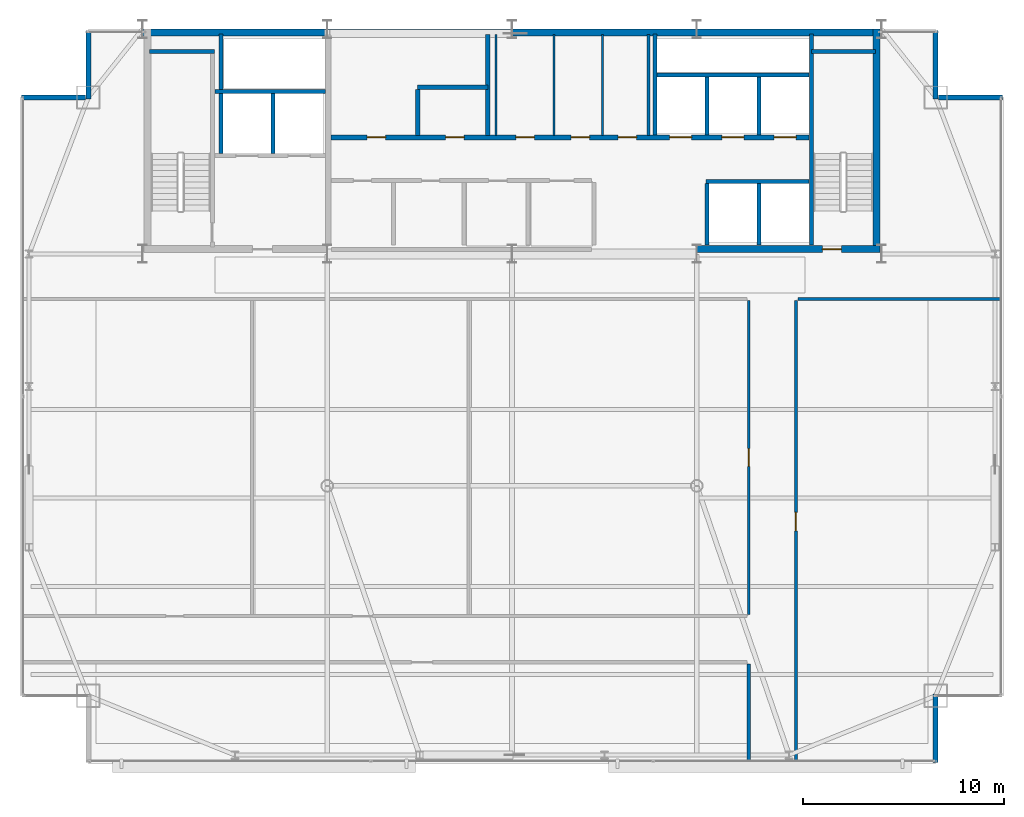
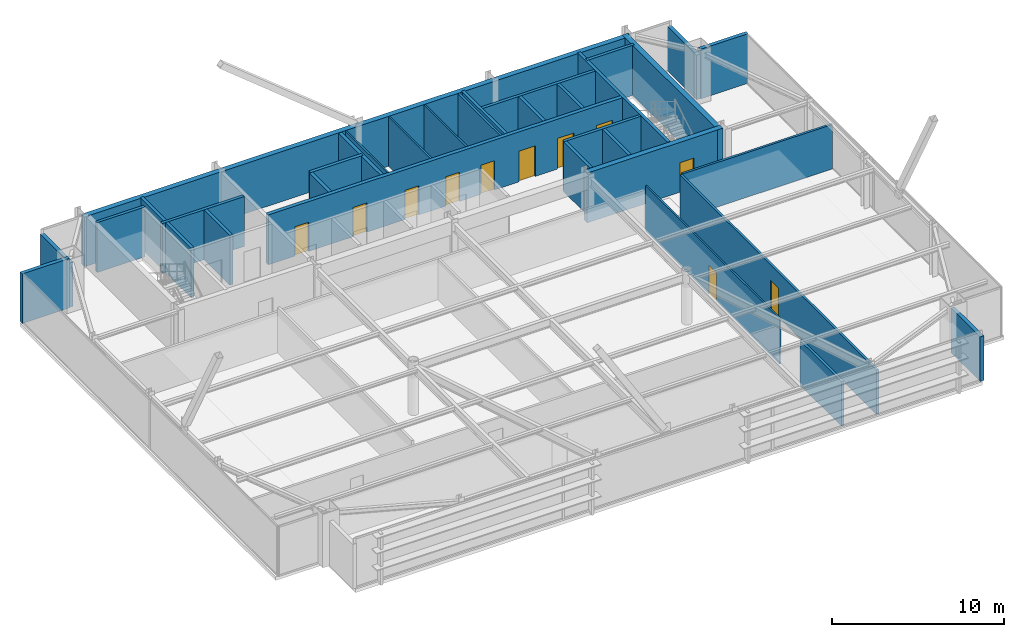
# One storey, part 25 of 27: 33 walls, 11 doors, 11 openings.
"""IFC4 building model written with IfcOpenShell, lengths in metres."""

from ifc_helpers import new_model, si_unit, direction, frame, frame_2d, origin, place, context, subcontext, project, spatial, rectangle, extrude, source, transform, mapped, material, layer, layer_set, type_object, type_shapes, element, fill, save


model = new_model("IFC4")

# Units and contexts
model_context = context("Model", 3, precision=1e-05, world=origin(), true_north=direction((0.0, 1.0)))
body_context = subcontext(model_context, "Body", "Model", "MODEL_VIEW")
ifc_project = project(units=[si_unit("LENGTHUNIT", "METRE"), si_unit("AREAUNIT", "SQUARE_METRE"), si_unit("VOLUMEUNIT", "CUBIC_METRE"), si_unit("PLANEANGLEUNIT", "RADIAN"), si_unit("MASSUNIT", "GRAM", prefix="KILO")], contexts=[model_context])

# Site, building, storey
site_placement = place(None, origin())
site = spatial("IfcSite", under=ifc_project, at=site_placement, CompositionType="ELEMENT")
building_placement = place(site_placement, origin())
building = spatial("IfcBuilding", under=site, at=building_placement, Name="Varnel Quay Broadcast Tower", CompositionType="ELEMENT")
storey_placement = place(building_placement, frame((0.0, 0.0, 203.60009765625)))
storey = spatial("IfcBuildingStorey", under=building, at=storey_placement, Name="L50", CompositionType="ELEMENT", Elevation=203.60009765625)

# Walls
ifc_material_1 = material(Name="Concrete CSA A23.3 C50/60", Category="concrete")
ifc_layer_1 = layer(ifc_material_1, 0.199951171875, Name="Concrete CSA A23.3 C50/60")
ifc_layer_set_1 = layer_set([ifc_layer_1], Name="Concrete CSA A23.3 C50/60")
wall_type_1 = type_object("IfcWallType", Name="Wall_CoreShaftShear200", PredefinedType="SHEAR", material=ifc_layer_set_1)
wall_1_placement = place(storey_placement, frame((15.949951171875, 45.679931640625, 0.0), z_axis=(0.0, 0.0, 1.0), x_axis=(1.0, 0.0, 0.0)))
element("IfcWall", 1, at=wall_1_placement, inside=storey, type_object=wall_type_1, Name="L50 Stair 1 North Structural Wall", PredefinedType="SHEAR", context=body_context, shape_type="SweptSolid", body=[
    extrude(rectangle(XDim=3.22998046875, YDim=0.199951171875, at=frame_2d((1.614990234375, 0.0))), origin(), (0.0, 0.0, 1.0), 3.5498046875),
])
wall_2_placement = place(storey_placement, frame((19.199951171875, 43.699951171875, 0.0), z_axis=(0.0, 0.0, 1.0), x_axis=(1.0, 0.0, 0.0)))
element("IfcWall", 2, at=wall_2_placement, inside=storey, type_object=wall_type_1, Name="L50 Firefighter Lift Shaft Rear Wall", PredefinedType="SHEAR", context=body_context, shape_type="SweptSolid", body=[
    extrude(rectangle(XDim=5.52001953125, YDim=0.199951171875, at=frame_2d((2.760009765625, 0.0))), origin(), (0.0, 0.0, 1.0), 3.5498046875),
])
wall_3_placement = place(storey_placement, frame((22.10009765625, 40.60009765625, 0.0), z_axis=(0.0, 0.0, 1.0), x_axis=(0.0, 1.0, 0.0)))
element("IfcWall", 3, at=wall_3_placement, inside=storey, type_object=wall_type_1, Name="L50 Firefighter Lift Shaft Divider", PredefinedType="SHEAR", context=body_context, shape_type="SweptSolid", body=[
    extrude(rectangle(XDim=3.0, YDim=0.199951171875, at=frame_2d((1.5, 0.0))), origin(), (0.0, 0.0, 1.0), 3.5498046875),
])
wall_4_placement = place(storey_placement, frame((19.5, 40.60009765625, 0.0), z_axis=(0.0, 0.0, 1.0), x_axis=(0.0, 1.0, 0.0)))
element("IfcWall", 4, at=wall_4_placement, inside=storey, type_object=wall_type_1, Name="L50 Firefighter Lift Shaft West Wall", PredefinedType="SHEAR", context=body_context, shape_type="SweptSolid", body=[
    extrude(rectangle(XDim=5.949951171875, YDim=0.199951171875, at=frame_2d((2.97509765625, 0.0))), origin(), (0.0, 0.0, 1.0), 3.5498046875),
])
wall_5_placement = place(storey_placement, frame((48.919921875, 36.050048828125, 0.0), z_axis=(0.0, 0.0, 1.0), x_axis=(0.0, 1.0, 0.0)))
element("IfcWall", 5, at=wall_5_placement, inside=storey, type_object=wall_type_1, Name="L50 Stair 2 West Structural Wall", PredefinedType="SHEAR", context=body_context, shape_type="SweptSolid", body=[
    extrude(rectangle(XDim=10.5, YDim=0.199951171875, at=frame_2d((5.25, 0.0))), origin(), (0.0, 0.0, 1.0), 3.5498046875),
])
wall_6_placement = place(storey_placement, frame((48.919921875, 45.679931640625, 0.0), z_axis=(0.0, 0.0, 1.0), x_axis=(1.0, 0.0, 0.0)))
element("IfcWall", 6, at=wall_6_placement, inside=storey, type_object=wall_type_1, Name="L50 Stair 2 North Structural Wall", PredefinedType="SHEAR", context=body_context, shape_type="SweptSolid", body=[
    extrude(rectangle(XDim=3.18017578125, YDim=0.199951171875, at=frame_2d((1.590087890625, 0.0))), origin(), (0.0, 0.0, 1.0), 3.5498046875),
])
wall_7_placement = place(storey_placement, frame((41.219970703125, 44.5, 0.0), z_axis=(0.0, 0.0, 1.0), x_axis=(1.0, 0.0, 0.0)))
element("IfcWall", 7, at=wall_7_placement, inside=storey, type_object=wall_type_1, Name="L50 High-Rise Lift Shaft Rear Wall", PredefinedType="SHEAR", context=body_context, shape_type="SweptSolid", body=[
    extrude(rectangle(XDim=7.580078125, YDim=0.199951171875, at=frame_2d((3.7900390625, 0.0))), origin(), (0.0, 0.0, 1.0), 3.5498046875),
])
wall_8_placement = place(storey_placement, frame((41.1201171875, 41.530029296875, 0.0), z_axis=(0.0, 0.0, 1.0), x_axis=(0.0, 1.0, 0.0)))
element("IfcWall", 8, at=wall_8_placement, inside=storey, type_object=wall_type_1, Name="L50 High-Rise Lift Shaft Divider 1", PredefinedType="SHEAR", context=body_context, shape_type="SweptSolid", body=[
    extrude(rectangle(XDim=5.02001953125, YDim=0.199951171875, at=frame_2d((2.510009765625, 0.0))), origin(), (0.0, 0.0, 1.0), 3.5498046875),
])
for number, where, z_axis, x_axis, name in (
    (9, (43.699951171875, 41.530029296875, 0.0), (0.0, 0.0, 1.0), (0.0, 1.0, 0.0), "L50 High-Rise Lift Shaft Divider 2"),
    (10, (46.300048828125, 41.530029296875, 0.0), (0.0, 0.0, 1.0), (0.0, 1.0, 0.0), "L50 High-Rise Lift Shaft Divider 3"),
):
    element("IfcWall", number, at=place(storey_placement, frame(where, z_axis=z_axis, x_axis=x_axis)), inside=storey, type_object=wall_type_1, Name=name, PredefinedType="SHEAR", context=body_context, shape_type="SweptSolid", body=[
        extrude(rectangle(XDim=2.869873046875, YDim=0.199951171875, at=frame_2d((1.43505859375, 0.0))), origin(), (0.0, 0.0, 1.0), 3.5498046875),
    ])
for number, where, z_axis, x_axis, name in (
    (11, (43.699951171875, 36.050048828125, 0.0), (0.0, 0.0, 1.0), (0.0, 1.0, 0.0), "L50 Express Lift Shaft West Wall"),
    (12, (46.300048828125, 36.050048828125, 0.0), (0.0, 0.0, 1.0), (0.0, 1.0, 0.0), "L50 Express Lift Shaft Divider"),
):
    element("IfcWall", number, at=place(storey_placement, frame(where, z_axis=z_axis, x_axis=x_axis)), inside=storey, type_object=wall_type_1, Name=name, PredefinedType="SHEAR", context=body_context, shape_type="SweptSolid", body=[
        extrude(rectangle(XDim=3.050048828125, YDim=0.199951171875, at=frame_2d((1.52490234375, 0.0))), origin(), (0.0, 0.0, 1.0), 3.5498046875),
    ])
wall_9_placement = place(storey_placement, frame((43.64990234375, 39.199951171875, 0.0), z_axis=(0.0, 0.0, 1.0), x_axis=(1.0, 0.0, 0.0)))
element("IfcWall", 13, at=wall_9_placement, inside=storey, type_object=wall_type_1, Name="L50 Express Lift Shaft North Front Wall", PredefinedType="SHEAR", context=body_context, shape_type="SweptSolid", body=[
    extrude(rectangle(XDim=5.150146484375, YDim=0.199951171875, at=frame_2d((2.5751953125, 0.0))), origin(), (0.0, 0.0, 1.0), 3.5498046875),
])

# Wall, openings, doors
ifc_layer_2 = layer(ifc_material_1, 0.25, Name="Concrete CSA A23.3 C50/60")
ifc_layer_set_2 = layer_set([ifc_layer_2], Name="Concrete CSA A23.3 C50/60")
wall_type_2 = type_object("IfcWallType", Name="Wall_CoreShaftShear250", PredefinedType="SHEAR", material=ifc_layer_set_2)
wall_10_placement = place(storey_placement, frame((24.97998046875, 41.39990234375, 0.0), z_axis=(0.0, 0.0, 1.0), x_axis=(1.0, 0.0, 0.0)))
wall_10 = element("IfcWall", 14, at=wall_10_placement, inside=storey, type_object=wall_type_2, Name="L50 North Lift Bank & Reclaimed Suite Wall", PredefinedType="SHEAR", context=body_context, shape_type="SweptSolid", body=[
    extrude(rectangle(XDim=23.820068359375, YDim=0.25, at=frame_2d((11.91015625, 0.0))), origin(), (0.0, 0.0, 1.0), 3.5498046875),
])
opening_1_placement = place(wall_10_placement, frame((16.8701171875, 0.0, 0.0)))
opening_1 = element("IfcOpeningElement", 15, at=opening_1_placement, cuts=wall_10, Name="Opening LD-L50-PH-01", PredefinedType="OPENING", context=body_context, shape_type="SweptSolid", body=[
    extrude(rectangle(XDim=1.10009765625, YDim=2.179931640625, at=frame_2d((0.550048828125, 1.08984375))), frame((0.0, 0.135009765625, 0.0), z_axis=(0.0, -1.0, 0.0), x_axis=(1.0, 0.0, 0.0)), (0.0, 0.0, 1.0), 0.27001953125),
])
opening_2_placement = place(wall_10_placement, frame((19.469970703125, 0.0, 0.0)))
opening_2 = element("IfcOpeningElement", 16, at=opening_2_placement, cuts=wall_10, Name="Opening LD-L50-PH-02", PredefinedType="OPENING", context=body_context, shape_type="SweptSolid", body=[
    extrude(rectangle(XDim=1.10009765625, YDim=2.179931640625, at=frame_2d((0.550048828125, 1.08984375))), frame((0.0, 0.135009765625, 0.0), z_axis=(0.0, -1.0, 0.0), x_axis=(1.0, 0.0, 0.0)), (0.0, 0.0, 1.0), 0.27001953125),
])
opening_3_placement = place(wall_10_placement, frame((22.070068359375, 0.0, 0.0)))
opening_3 = element("IfcOpeningElement", 17, at=opening_3_placement, cuts=wall_10, Name="Opening LD-L50-PH-03", PredefinedType="OPENING", context=body_context, shape_type="SweptSolid", body=[
    extrude(rectangle(XDim=1.10009765625, YDim=2.179931640625, at=frame_2d((0.550048828125, 1.08984375))), frame((0.0, 0.135009765625, 0.0), z_axis=(0.0, -1.0, 0.0), x_axis=(1.0, 0.0, 0.0)), (0.0, 0.0, 1.0), 0.27001953125),
])
opening_4_placement = place(wall_10_placement, frame((1.81005859375, 0.0, 0.0)))
opening_4 = element("IfcOpeningElement", 18, at=opening_4_placement, cuts=wall_10, Name="Opening D-L50-RECA1", PredefinedType="OPENING", context=body_context, shape_type="SweptSolid", body=[
    extrude(rectangle(XDim=0.919921875, YDim=2.080078125, at=frame_2d((0.4599609375, 1.0400390625))), frame((0.0, 0.135009765625, 0.0), z_axis=(0.0, -1.0, 0.0), x_axis=(1.0, 0.0, 0.0)), (0.0, 0.0, 1.0), 0.27001953125),
])
opening_5_placement = place(wall_10_placement, frame((5.7099609375, 0.0, 0.0)))
opening_5 = element("IfcOpeningElement", 19, at=opening_5_placement, cuts=wall_10, Name="Opening D-L50-RECA2", PredefinedType="OPENING", context=body_context, shape_type="SweptSolid", body=[
    extrude(rectangle(XDim=0.919921875, YDim=2.080078125, at=frame_2d((0.4599609375, 1.0400390625))), frame((0.0, 0.135009765625, 0.0), z_axis=(0.0, -1.0, 0.0), x_axis=(1.0, 0.0, 0.0)), (0.0, 0.0, 1.0), 0.27001953125),
])
opening_6_placement = place(wall_10_placement, frame((9.2099609375, 0.0, 0.0)))
opening_6 = element("IfcOpeningElement", 20, at=opening_6_placement, cuts=wall_10, Name="Opening D-L50-RECB1", PredefinedType="OPENING", context=body_context, shape_type="SweptSolid", body=[
    extrude(rectangle(XDim=0.919921875, YDim=2.080078125, at=frame_2d((0.4599609375, 1.0400390625))), frame((0.0, 0.135009765625, 0.0), z_axis=(0.0, -1.0, 0.0), x_axis=(1.0, 0.0, 0.0)), (0.0, 0.0, 1.0), 0.27001953125),
])
opening_7_placement = place(wall_10_placement, frame((11.9599609375, 0.0, 0.0)))
opening_7 = element("IfcOpeningElement", 21, at=opening_7_placement, cuts=wall_10, Name="Opening D-L50-RECB2", PredefinedType="OPENING", context=body_context, shape_type="SweptSolid", body=[
    extrude(rectangle(XDim=0.919921875, YDim=2.080078125, at=frame_2d((0.4599609375, 1.0400390625))), frame((0.0, 0.135009765625, 0.0), z_axis=(0.0, -1.0, 0.0), x_axis=(1.0, 0.0, 0.0)), (0.0, 0.0, 1.0), 0.27001953125),
])
opening_8_placement = place(wall_10_placement, frame((14.31005859375, 0.0, 0.0)))
opening_8 = element("IfcOpeningElement", 22, at=opening_8_placement, cuts=wall_10, Name="Opening D-L50-RECB3", PredefinedType="OPENING", context=body_context, shape_type="SweptSolid", body=[
    extrude(rectangle(XDim=0.919921875, YDim=2.080078125, at=frame_2d((0.4599609375, 1.0400390625))), frame((0.0, 0.135009765625, 0.0), z_axis=(0.0, -1.0, 0.0), x_axis=(1.0, 0.0, 0.0)), (0.0, 0.0, 1.0), 0.27001953125),
])
ifc_material_2 = material(Name="Brushed Bronze-Stainless Lift Car & Sliding Doors", Category="steel")
door_type_1 = type_object("IfcDoorType", Name="Door_LiftLanding1100", OperationType="SLIDING_TO_LEFT", PredefinedType="DOOR", material=ifc_material_2)
shared_shape_1 = source(origin(), body_context, "Body", "SweptSolid", [
    extrude(rectangle(XDim=1.10009765625, YDim=2.179931640625, at=frame_2d((0.550048828125, 1.08984375))), frame((0.0, 0.02490234375, 0.0), z_axis=(0.0, -1.0, 0.0), x_axis=(1.0, 0.0, 0.0)), (0.0, 0.0, 1.0), 0.050048828125),
])
type_shapes(door_type_1, [shared_shape_1])
door_1_placement = place(opening_1_placement, frame((1.10009765625, 0.0, 0.0), z_axis=(0.0, 0.0, 1.0), x_axis=(-1.0, 0.0, 0.0)))
door_1 = element("IfcDoor", 23, at=door_1_placement, inside=storey, type_object=door_type_1, Name="L50 Lift PH-01 Landing Door", OperationType="SLIDING_TO_LEFT", OverallHeight=2.179931640625, OverallWidth=1.10009765625, PredefinedType="DOOR", context=body_context, shape_type="MappedRepresentation", body=[
    mapped(shared_shape_1, transform((0.0, 0.0, 0.0), x_axis=(1.0, 0.0, 0.0), y_axis=(0.0, 1.0, 0.0), z_axis=(0.0, 0.0, 1.0), scale=1.0)),
])
fill(opening_1, door_1)
door_2_placement = place(opening_2_placement, frame((1.10009765625, 0.0, 0.0), z_axis=(0.0, 0.0, 1.0), x_axis=(-1.0, 0.0, 0.0)))
door_2 = element("IfcDoor", 24, at=door_2_placement, inside=storey, type_object=door_type_1, Name="L50 Lift PH-02 Landing Door", OperationType="SLIDING_TO_LEFT", OverallHeight=2.179931640625, OverallWidth=1.10009765625, PredefinedType="DOOR", context=body_context, shape_type="MappedRepresentation", body=[
    mapped(shared_shape_1, transform((0.0, 0.0, 0.0), x_axis=(1.0, 0.0, 0.0), y_axis=(0.0, 1.0, 0.0), z_axis=(0.0, 0.0, 1.0), scale=1.0)),
])
fill(opening_2, door_2)
door_3_placement = place(opening_3_placement, frame((1.10009765625, 0.0, 0.0), z_axis=(0.0, 0.0, 1.0), x_axis=(-1.0, 0.0, 0.0)))
door_3 = element("IfcDoor", 25, at=door_3_placement, inside=storey, type_object=door_type_1, Name="L50 Lift PH-03 Landing Door", OperationType="SLIDING_TO_LEFT", OverallHeight=2.179931640625, OverallWidth=1.10009765625, PredefinedType="DOOR", context=body_context, shape_type="MappedRepresentation", body=[
    mapped(shared_shape_1, transform((0.0, 0.0, 0.0), x_axis=(1.0, 0.0, 0.0), y_axis=(0.0, 1.0, 0.0), z_axis=(0.0, 0.0, 1.0), scale=1.0)),
])
fill(opening_3, door_3)
ifc_material_3 = material(Name="Solid-Core Fire-Rated Acoustic Oak Veneer Door", Category="wood")
door_type_2 = type_object("IfcDoorType", Name="Door_Office920", OperationType="NOTDEFINED", PredefinedType="DOOR", material=ifc_material_3)
shared_shape_2 = source(origin(), body_context, "Body", "SweptSolid", [
    extrude(rectangle(XDim=0.919921875, YDim=2.080078125, at=frame_2d((0.4599609375, 1.0400390625))), frame((0.0, 0.02490234375, 0.0), z_axis=(0.0, -1.0, 0.0), x_axis=(1.0, 0.0, 0.0)), (0.0, 0.0, 1.0), 0.050048828125),
])
type_shapes(door_type_2, [shared_shape_2])
door_4_placement = place(opening_4_placement, origin())
door_4 = element("IfcDoor", 26, at=door_4_placement, inside=storey, type_object=door_type_2, Name="L50 Signal Routing Suite Door", OperationType="SINGLE_SWING_RIGHT", OverallHeight=2.080078125, OverallWidth=0.919921875, PredefinedType="DOOR", context=body_context, shape_type="MappedRepresentation", body=[
    mapped(shared_shape_2, transform((0.0, 0.0, 0.0), x_axis=(1.0, 0.0, 0.0), y_axis=(0.0, 1.0, 0.0), z_axis=(0.0, 0.0, 1.0), scale=1.0)),
])
fill(opening_4, door_4)
door_5_placement = place(opening_5_placement, origin())
door_5 = element("IfcDoor", 27, at=door_5_placement, inside=storey, type_object=door_type_2, Name="L50 Archive Media Store Door", OperationType="SINGLE_SWING_LEFT", OverallHeight=2.080078125, OverallWidth=0.919921875, PredefinedType="DOOR", context=body_context, shape_type="MappedRepresentation", body=[
    mapped(shared_shape_2, transform((0.0, 0.0, 0.0), x_axis=(1.0, 0.0, 0.0), y_axis=(0.0, 1.0, 0.0), z_axis=(0.0, 0.0, 1.0), scale=1.0)),
])
fill(opening_5, door_5)
door_6_placement = place(opening_6_placement, origin())
door_6 = element("IfcDoor", 28, at=door_6_placement, inside=storey, type_object=door_type_2, Name="L50 Audio Patch Closet Door", OperationType="SINGLE_SWING_RIGHT", OverallHeight=2.080078125, OverallWidth=0.919921875, PredefinedType="DOOR", context=body_context, shape_type="MappedRepresentation", body=[
    mapped(shared_shape_2, transform((0.0, 0.0, 0.0), x_axis=(1.0, 0.0, 0.0), y_axis=(0.0, 1.0, 0.0), z_axis=(0.0, 0.0, 1.0), scale=1.0)),
])
fill(opening_6, door_6)
door_7_placement = place(opening_7_placement, origin())
door_7 = element("IfcDoor", 29, at=door_7_placement, inside=storey, type_object=door_type_2, Name="L50 Bureau Reference Archive Door", OperationType="SINGLE_SWING_LEFT", OverallHeight=2.080078125, OverallWidth=0.919921875, PredefinedType="DOOR", context=body_context, shape_type="MappedRepresentation", body=[
    mapped(shared_shape_2, transform((0.0, 0.0, 0.0), x_axis=(1.0, 0.0, 0.0), y_axis=(0.0, 1.0, 0.0), z_axis=(0.0, 0.0, 1.0), scale=1.0)),
])
fill(opening_7, door_7)
door_8_placement = place(opening_8_placement, origin())
door_8 = element("IfcDoor", 30, at=door_8_placement, inside=storey, type_object=door_type_2, Name="L50 Crew Espresso Niche Door", OperationType="SINGLE_SWING_RIGHT", OverallHeight=2.080078125, OverallWidth=0.919921875, PredefinedType="DOOR", context=body_context, shape_type="MappedRepresentation", body=[
    mapped(shared_shape_2, transform((0.0, 0.0, 0.0), x_axis=(1.0, 0.0, 0.0), y_axis=(0.0, 1.0, 0.0), z_axis=(0.0, 0.0, 1.0), scale=1.0)),
])
fill(opening_8, door_8)

# Walls
ifc_layer_3 = layer(ifc_material_1, 0.35009765625, Name="Concrete CSA A23.3 C50/60")
ifc_layer_set_3 = layer_set([ifc_layer_3], Name="Concrete CSA A23.3 C50/60")
wall_type_3 = type_object("IfcWallType", Name="Wall_CoreShearExt350", PredefinedType="SHEAR", material=ifc_layer_set_3)
wall_11_placement = place(storey_placement, frame((15.60009765625, 46.625, 0.0), z_axis=(0.0, 0.0, 1.0), x_axis=(1.0, 0.0, 0.0)))
element("IfcWall", 31, at=wall_11_placement, inside=storey, type_object=wall_type_3, Name="L50 North Core Shear Wall", PredefinedType="SHEAR", context=body_context, shape_type="SweptSolid", body=[
    extrude(rectangle(XDim=36.7998046875, YDim=0.35009765625, at=frame_2d((18.39990234375, 0.0))), origin(), (0.0, 0.0, 1.0), 3.5498046875),
])
ifc_layer_4 = layer(ifc_material_1, 0.35009765625, Name="Concrete CSA A23.3 C50/60")
ifc_layer_set_4 = layer_set([ifc_layer_4], Name="Concrete CSA A23.3 C50/60")
wall_type_4 = type_object("IfcWallType", Name="Wall_CoreShearInt350", PredefinedType="SHEAR", material=ifc_layer_set_4)
wall_12_placement = place(storey_placement, frame((52.155029296875, 35.669921875, 0.0), z_axis=(0.0, 0.0, 1.0), x_axis=(0.0, 1.0, 0.0)))
element("IfcWall", 32, at=wall_12_placement, inside=storey, type_object=wall_type_4, Name="L50 East Core Shear Wall", PredefinedType="SHEAR", context=body_context, shape_type="SweptSolid", body=[
    extrude(rectangle(XDim=11.130126953125, YDim=0.35009765625, at=frame_2d((5.56494140625, 0.0))), origin(), (0.0, 0.0, 1.0), 3.5498046875),
])

# Wall, opening, door
wall_13_placement = place(storey_placement, frame((43.199951171875, 35.844970703125, 0.0), z_axis=(0.0, 0.0, 1.0), x_axis=(1.0, 0.0, 0.0)))
wall_13 = element("IfcWall", 33, at=wall_13_placement, inside=storey, type_object=wall_type_4, Name="L50 South-East Core Shear Wall", PredefinedType="SHEAR", context=body_context, shape_type="SweptSolid", body=[
    extrude(rectangle(XDim=9.130126953125, YDim=0.35009765625, at=frame_2d((4.56494140625, 0.0))), origin(), (0.0, 0.0, 1.0), 3.5498046875),
])
opening_9_placement = place(wall_13_placement, frame((6.25, 0.0, 0.0)))
opening_9 = element("IfcOpeningElement", 34, at=opening_9_placement, cuts=wall_13, Name="Opening D-L50-S2", PredefinedType="OPENING", context=body_context, shape_type="SweptSolid", body=[
    extrude(rectangle(XDim=0.949951171875, YDim=2.10009765625, at=frame_2d((0.47509765625, 1.050048828125))), frame((0.0, 0.18505859375, 0.0), z_axis=(0.0, -1.0, 0.0), x_axis=(1.0, 0.0, 0.0)), (0.0, 0.0, 1.0), 0.3701171875),
])
ifc_material_4 = material(Name="Insulated Fire-Rated Hollow Steel Door", Category="steel")
door_type_3 = type_object("IfcDoorType", Name="Door_FireStair950", OperationType="NOTDEFINED", PredefinedType="DOOR", material=ifc_material_4)
shared_shape_3 = source(origin(), body_context, "Body", "SweptSolid", [
    extrude(rectangle(XDim=0.949951171875, YDim=2.10009765625, at=frame_2d((0.47509765625, 1.050048828125))), frame((0.0, 0.02490234375, 0.0), z_axis=(0.0, -1.0, 0.0), x_axis=(1.0, 0.0, 0.0)), (0.0, 0.0, 1.0), 0.050048828125),
])
type_shapes(door_type_3, [shared_shape_3])
door_9_placement = place(opening_9_placement, origin())
door_9 = element("IfcDoor", 35, at=door_9_placement, inside=storey, type_object=door_type_3, Name="L50 Stair 2 Fire Door", OperationType="SINGLE_SWING_LEFT", OverallHeight=2.10009765625, OverallWidth=0.949951171875, PredefinedType="DOOR", context=body_context, shape_type="MappedRepresentation", body=[
    mapped(shared_shape_3, transform((0.0, 0.0, 0.0), x_axis=(1.0, 0.0, 0.0), y_axis=(0.0, 1.0, 0.0), z_axis=(0.0, 0.0, 1.0), scale=1.0)),
])
fill(opening_9, door_9)

# Walls
ifc_material_5 = material(Name="Precast Architectural Concrete C40/50", Category="concrete")
ifc_layer_5 = layer(ifc_material_5, 0.25, Name="Precast Architectural Concrete C40/50")
ifc_layer_set_5 = layer_set([ifc_layer_5], Name="Precast Architectural Concrete C40/50")
wall_type_5 = type_object("IfcWallType", Name="Wall_ExtTerrace250", PredefinedType="SOLIDWALL", material=ifc_layer_set_5)
wall_14_placement = place(storey_placement, frame((55.10009765625, 10.280029296875, 0.0), z_axis=(0.0, 0.0, 1.0), x_axis=(0.0, 1.0, 0.0)))
element("IfcWall", 36, at=wall_14_placement, inside=storey, type_object=wall_type_5, Name="L50 Mega-Column Notch Cladding Wall NSE2", PredefinedType="SOLIDWALL", context=body_context, shape_type="SweptSolid", body=[
    extrude(rectangle(XDim=3.39990234375, YDim=0.25, at=frame_2d((1.699951171875, 0.0))), origin(), (0.0, 0.0, 1.0), 3.1708984375),
])
wall_15_placement = place(storey_placement, frame((9.580078125, 43.39990234375, 0.0), z_axis=(0.0, 0.0, 1.0), x_axis=(1.0, 0.0, 0.0)))
element("IfcWall", 37, at=wall_15_placement, inside=storey, type_object=wall_type_5, Name="L50 Mega-Column Notch Cladding Wall NNW1", PredefinedType="SOLIDWALL", context=body_context, shape_type="SweptSolid", body=[
    extrude(rectangle(XDim=3.18994140625, YDim=0.25, at=frame_2d((1.594970703125, 0.0))), origin(), (0.0, 0.0, 1.0), 3.52978515625),
])
wall_16_placement = place(storey_placement, frame((12.89990234375, 43.320068359375, 0.0), z_axis=(0.0, 0.0, 1.0), x_axis=(0.0, 1.0, 0.0)))
element("IfcWall", 38, at=wall_16_placement, inside=storey, type_object=wall_type_5, Name="L50 Mega-Column Notch Cladding Wall NNW2", PredefinedType="SOLIDWALL", context=body_context, shape_type="SweptSolid", body=[
    extrude(rectangle(XDim=3.39990234375, YDim=0.25, at=frame_2d((1.699951171875, 0.0))), origin(), (0.0, 0.0, 1.0), 3.1708984375),
])
wall_17_placement = place(storey_placement, frame((55.22998046875, 43.39990234375, 0.0), z_axis=(0.0, 0.0, 1.0), x_axis=(1.0, 0.0, 0.0)))
element("IfcWall", 39, at=wall_17_placement, inside=storey, type_object=wall_type_5, Name="L50 Mega-Column Notch Cladding Wall NNE1", PredefinedType="SOLIDWALL", context=body_context, shape_type="SweptSolid", body=[
    extrude(rectangle(XDim=3.18994140625, YDim=0.25, at=frame_2d((1.594970703125, 0.0))), origin(), (0.0, 0.0, 1.0), 3.52978515625),
])
wall_18_placement = place(storey_placement, frame((55.10009765625, 43.320068359375, 0.0), z_axis=(0.0, 0.0, 1.0), x_axis=(0.0, 1.0, 0.0)))
element("IfcWall", 40, at=wall_18_placement, inside=storey, type_object=wall_type_5, Name="L50 Mega-Column Notch Cladding Wall NNE2", PredefinedType="SOLIDWALL", context=body_context, shape_type="SweptSolid", body=[
    extrude(rectangle(XDim=3.39990234375, YDim=0.25, at=frame_2d((1.699951171875, 0.0))), origin(), (0.0, 0.0, 1.0), 3.1708984375),
])

# Wall, opening, door
ifc_material_6 = material(Name="Steel-Stud Fire-Rated Acoustic Gypsum Partition Assembly", Category="steel")
ifc_layer_6 = layer(ifc_material_6, 0.10498046875, Name="Steel-Stud Fire-Rated Acoustic Gypsum Partition Assembly")
ifc_layer_set_6 = layer_set([ifc_layer_6], Name="Steel-Stud Fire-Rated Acoustic Gypsum Partition Assembly")
wall_type_6 = type_object("IfcWallType", Name="Wall_Partition105", PredefinedType="PARTITIONING", material=ifc_layer_set_6)
wall_19_placement = place(storey_placement, frame((45.7900390625, 17.64501953125, 0.0), z_axis=(0.0, 0.0, 1.0), x_axis=(0.0, 1.0, 0.0)))
wall_19 = element("IfcWall", 41, at=wall_19_placement, inside=storey, type_object=wall_type_6, Name="L50 Camera Locker Store 4 Partition 13", PredefinedType="PARTITIONING", context=body_context, shape_type="SweptSolid", body=[
    extrude(rectangle(XDim=15.6298828125, YDim=0.10498046875, at=frame_2d((7.81494140625, 0.0))), origin(), (0.0, 0.0, 1.0), 3.221923828125),
])
opening_10_placement = place(wall_19_placement, frame((7.375, 0.0, 0.0)))
opening_10 = element("IfcOpeningElement", 42, at=opening_10_placement, cuts=wall_19, Name="Opening D-L50-08", PredefinedType="OPENING", context=body_context, shape_type="SweptSolid", body=[
    extrude(rectangle(XDim=0.8798828125, YDim=2.06005859375, at=frame_2d((0.43994140625, 1.030029296875))), frame((0.0, 0.0625, 0.0), z_axis=(0.0, -1.0, 0.0), x_axis=(1.0, 0.0, 0.0)), (0.0, 0.0, 1.0), 0.125),
])
door_type_4 = type_object("IfcDoorType", Name="Door_Booth880", OperationType="NOTDEFINED", PredefinedType="DOOR", material=ifc_material_3)
shared_shape_4 = source(origin(), body_context, "Body", "SweptSolid", [
    extrude(rectangle(XDim=0.8798828125, YDim=2.06005859375, at=frame_2d((0.43994140625, 1.030029296875))), frame((0.0, 0.02490234375, 0.0), z_axis=(0.0, -1.0, 0.0), x_axis=(1.0, 0.0, 0.0)), (0.0, 0.0, 1.0), 0.050048828125),
])
type_shapes(door_type_4, [shared_shape_4])
door_10_placement = place(opening_10_placement, origin())
door_10 = element("IfcDoor", 43, at=door_10_placement, inside=storey, type_object=door_type_4, Name="L50 Camera Locker Store 4 Door D-L50-08", OperationType="SINGLE_SWING_RIGHT", OverallHeight=2.06005859375, OverallWidth=0.8798828125, PredefinedType="DOOR", context=body_context, shape_type="MappedRepresentation", body=[
    mapped(shared_shape_4, transform((0.0, 0.0, 0.0), x_axis=(1.0, 0.0, 0.0), y_axis=(0.0, 1.0, 0.0), z_axis=(0.0, 0.0, 1.0), scale=1.0)),
])
fill(opening_10, door_10)

# Walls
for number, where, z_axis, x_axis, name in (
    (44, (36.10009765625, 41.5, 0.0), (0.0, 0.0, 1.0), (0.0, 1.0, 0.0), "L50 Audio Patch Closet Partition 19"),
    (45, (33.199951171875, 41.5, 0.0), (0.0, 0.0, 1.0), (0.0, 1.0, 0.0), "L50 Audio Patch Closet Partition 20"),
    (46, (38.5, 41.5, 0.0), (0.0, 0.0, 1.0), (0.0, 1.0, 0.0), "L50 Bureau Reference Archive Partition 21"),
):
    element("IfcWall", number, at=place(storey_placement, frame(where, z_axis=z_axis, x_axis=x_axis)), inside=storey, type_object=wall_type_6, Name=name, PredefinedType="PARTITIONING", context=body_context, shape_type="SweptSolid", body=[
        extrude(rectangle(XDim=5.02001953125, YDim=0.10498046875, at=frame_2d((2.510009765625, 0.0))), origin(), (0.0, 0.0, 1.0), 3.52978515625),
    ])
ifc_layer_7 = layer(ifc_material_6, 0.14990234375, Name="Steel-Stud Fire-Rated Acoustic Gypsum Partition Assembly")
ifc_layer_set_7 = layer_set([ifc_layer_7], Name="Steel-Stud Fire-Rated Acoustic Gypsum Partition Assembly")
wall_type_7 = type_object("IfcWallType", Name="Wall_Partition150", PredefinedType="PARTITIONING", material=ifc_layer_set_7)
wall_20_placement = place(storey_placement, frame((48.239990234375, 33.35009765625, 0.0), z_axis=(0.0, 0.0, 1.0), x_axis=(1.0, 0.0, 0.0)))
element("IfcWall", 47, at=wall_20_placement, inside=storey, type_object=wall_type_7, Name="L50 Broadcast Newsroom 5 Partition 14", PredefinedType="PARTITIONING", context=body_context, shape_type="SweptSolid", body=[
    extrude(rectangle(XDim=10.080078125, YDim=0.14990234375, at=frame_2d((5.0400390625, 0.0))), origin(), (0.0, 0.0, 1.0), 3.1708984375),
])

# Wall, opening, door
wall_21_placement = place(storey_placement, frame((48.139892578125, 10.3798828125, 0.0), z_axis=(0.0, 0.0, 1.0), x_axis=(0.0, 1.0, 0.0)))
wall_21 = element("IfcWall", 48, at=wall_21_placement, inside=storey, type_object=wall_type_7, Name="L50 Broadcast Newsroom 5 Partition 15", PredefinedType="PARTITIONING", context=body_context, shape_type="SweptSolid", body=[
    extrude(rectangle(XDim=22.89501953125, YDim=0.14990234375, at=frame_2d((11.447509765625, 0.0))), origin(), (0.0, 0.0, 1.0), 3.1708984375),
])
opening_11_placement = place(wall_21_placement, frame((11.429931640625, 0.0, 0.0)))
opening_11 = element("IfcOpeningElement", 49, at=opening_11_placement, cuts=wall_21, Name="Opening D-L50-09", PredefinedType="OPENING", context=body_context, shape_type="SweptSolid", body=[
    extrude(rectangle(XDim=0.919921875, YDim=2.080078125, at=frame_2d((0.4599609375, 1.0400390625))), frame((0.0, 0.0849609375, 0.0), z_axis=(0.0, -1.0, 0.0), x_axis=(1.0, 0.0, 0.0)), (0.0, 0.0, 1.0), 0.169921875),
])
door_11_placement = place(opening_11_placement, frame((0.919921875, 0.0, 0.0), z_axis=(0.0, 0.0, 1.0), x_axis=(-1.0, 0.0, 0.0)))
door_11 = element("IfcDoor", 50, at=door_11_placement, inside=storey, type_object=door_type_2, Name="L50 Broadcast Newsroom 5 Door D-L50-09", OperationType="SINGLE_SWING_LEFT", OverallHeight=2.080078125, OverallWidth=0.919921875, PredefinedType="DOOR", context=body_context, shape_type="MappedRepresentation", body=[
    mapped(shared_shape_2, transform((0.0, 0.0, 0.0), x_axis=(1.0, 0.0, 0.0), y_axis=(0.0, 1.0, 0.0), z_axis=(0.0, 0.0, 1.0), scale=1.0)),
])
fill(opening_11, door_11)

# Walls
wall_22_placement = place(storey_placement, frame((40.800048828125, 41.5, 0.0), z_axis=(0.0, 0.0, 1.0), x_axis=(0.0, 1.0, 0.0)))
element("IfcWall", 51, at=wall_22_placement, inside=storey, type_object=wall_type_7, Name="L50 Crew Espresso Niche Partition 22", PredefinedType="PARTITIONING", context=body_context, shape_type="SweptSolid", body=[
    extrude(rectangle(XDim=5.02001953125, YDim=0.14990234375, at=frame_2d((2.510009765625, 0.0))), origin(), (0.0, 0.0, 1.0), 3.52978515625),
])
ifc_layer_8 = layer(ifc_material_6, 0.175048828125, Name="Steel-Stud Fire-Rated Acoustic Gypsum Partition Assembly")
ifc_layer_set_8 = layer_set([ifc_layer_8], Name="Steel-Stud Fire-Rated Acoustic Gypsum Partition Assembly")
wall_type_8 = type_object("IfcWallType", Name="Wall_Partition175", PredefinedType="PARTITIONING", material=ifc_layer_set_8)
wall_23_placement = place(storey_placement, frame((45.7900390625, 10.3798828125, 0.0), z_axis=(0.0, 0.0, 1.0), x_axis=(0.0, 1.0, 0.0)))
element("IfcWall", 52, at=wall_23_placement, inside=storey, type_object=wall_type_8, Name="L50 Editorial Boardroom 1 Partition 7", PredefinedType="PARTITIONING", context=body_context, shape_type="SweptSolid", body=[
    extrude(rectangle(XDim=4.802001953125, YDim=0.175048828125, at=frame_2d((2.40087890625, 0.0))), origin(), (0.0, 0.0, 1.0), 3.1708984375),
])
ifc_layer_9 = layer(ifc_material_6, 0.22509765625, Name="Steel-Stud Fire-Rated Acoustic Gypsum Partition Assembly")
ifc_layer_set_9 = layer_set([ifc_layer_9], Name="Steel-Stud Fire-Rated Acoustic Gypsum Partition Assembly")
wall_type_9 = type_object("IfcWallType", Name="Wall_Partition225", PredefinedType="PARTITIONING", material=ifc_layer_set_9)
wall_24_placement = place(storey_placement, frame((29.300048828125, 41.5, 0.0), z_axis=(0.0, 0.0, 1.0), x_axis=(0.0, 1.0, 0.0)))
element("IfcWall", 53, at=wall_24_placement, inside=storey, type_object=wall_type_9, Name="L50 Signal Routing Suite Partition 16", PredefinedType="PARTITIONING", context=body_context, shape_type="SweptSolid", body=[
    extrude(rectangle(XDim=2.2880859375, YDim=0.22509765625, at=frame_2d((1.14404296875, 0.0))), origin(), (0.0, 0.0, 1.0), 3.52978515625),
])
wall_25_placement = place(storey_placement, frame((29.300048828125, 43.89990234375, 0.0), z_axis=(0.0, 0.0, 1.0), x_axis=(1.0, 0.0, 0.0)))
element("IfcWall", 54, at=wall_25_placement, inside=storey, type_object=wall_type_9, Name="L50 Signal Routing Suite Partition 17", PredefinedType="PARTITIONING", context=body_context, shape_type="SweptSolid", body=[
    extrude(rectangle(XDim=3.5, YDim=0.22509765625, at=frame_2d((1.75, 0.0))), origin(), (0.0, 0.0, 1.0), 3.52978515625),
])
wall_26_placement = place(storey_placement, frame((32.800048828125, 41.5, 0.0), z_axis=(0.0, 0.0, 1.0), x_axis=(0.0, 1.0, 0.0)))
element("IfcWall", 55, at=wall_26_placement, inside=storey, type_object=wall_type_9, Name="L50 Signal Routing Suite Partition 18", PredefinedType="PARTITIONING", context=body_context, shape_type="SweptSolid", body=[
    extrude(rectangle(XDim=5.02001953125, YDim=0.22509765625, at=frame_2d((2.510009765625, 0.0))), origin(), (0.0, 0.0, 1.0), 3.52978515625),
])

save(model, "model.ifc")
